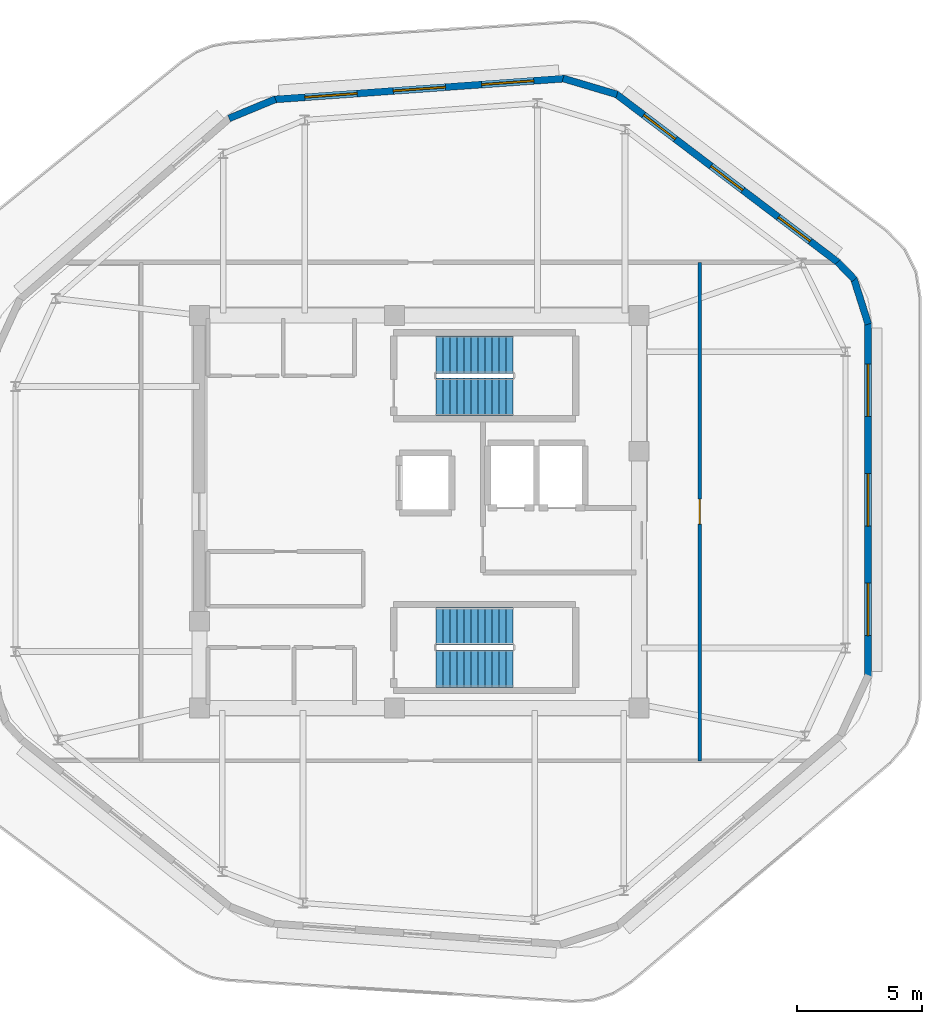
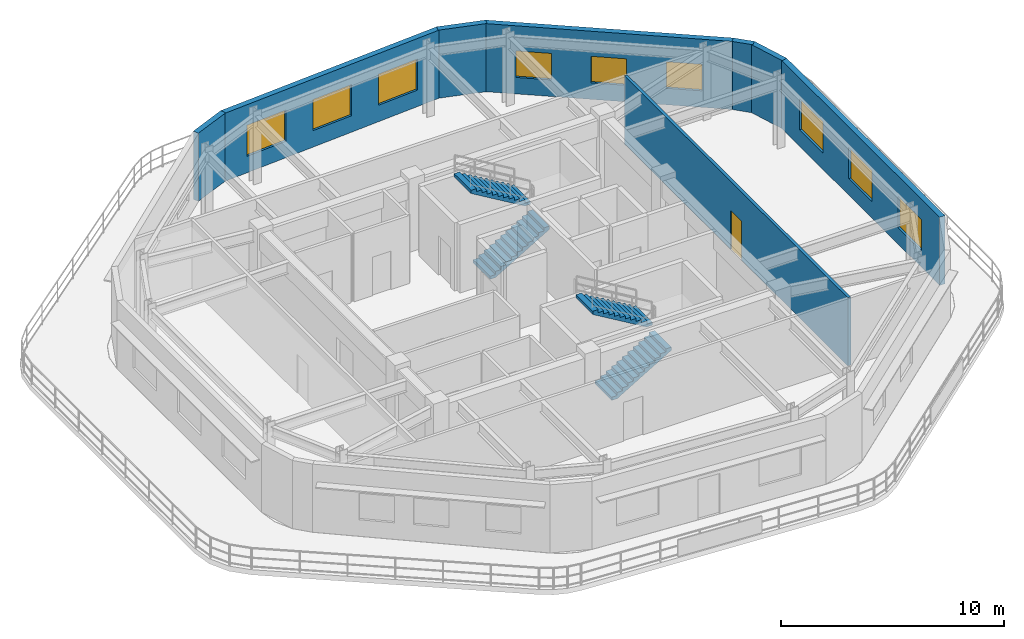
# One storey, part 4 of 7: 9 windows, 8 walls, 4 stair flights, 1 door, 10 openings, 2 elements without a shape of their own.
"""IFC4 building model written with IfcOpenShell, lengths in metres."""

from ifc_helpers import new_model, si_unit, direction, frame, frame_2d, origin, place, context, subcontext, project, spatial, polyline, rectangle, outline, extrude, material, layer, layer_set, type_object, element, fill, aggregate, save


model = new_model("IFC4")

# Units and contexts
model_context = context("Model", 3, precision=1e-05, world=origin(), true_north=direction((0.0, 1.0)))
body_context = subcontext(model_context, "Body", "Model", "MODEL_VIEW")
ifc_project = project(units=[si_unit("LENGTHUNIT", "METRE"), si_unit("AREAUNIT", "SQUARE_METRE"), si_unit("VOLUMEUNIT", "CUBIC_METRE"), si_unit("PLANEANGLEUNIT", "RADIAN"), si_unit("MASSUNIT", "GRAM", prefix="KILO")], contexts=[model_context])

# Site, building, storey
site_placement = place(None, origin())
site = spatial("IfcSite", under=ifc_project, at=site_placement, CompositionType="ELEMENT")
building_placement = place(site_placement, origin())
building = spatial("IfcBuilding", under=site, at=building_placement, Name="Zulverin Broadcast Headquarters", CompositionType="ELEMENT")
storey_placement = place(building_placement, frame((0.0, 0.0, 321.39990234375)))
storey = spatial("IfcBuildingStorey", under=building, at=storey_placement, Name="C3", CompositionType="ELEMENT", Elevation=321.39990234375)

# Wall, openings, windows
ifc_material_1 = material(Name="Insulated pale-metal clad concrete spandrel C40/50", Category="concrete")
ifc_layer_1 = layer(ifc_material_1, 0.280029296875, Name="Insulated pale-metal clad concrete spandrel C40/50", Category="concrete")
ifc_layer_set_1 = layer_set([ifc_layer_1], Name="Insulated pale-metal clad concrete spandrel C40/50")
wall_type_1 = type_object("IfcWallType", Name="WL-EXT-280", PredefinedType="STANDARD", material=ifc_layer_set_1)
wall_1_placement = place(storey_placement, frame((57.4599609375, 18.579833984375, 0.0), z_axis=(0.0, 0.0, 1.0), x_axis=(0.0, 1.0, 0.0)))
wall_1 = element("IfcWall", 1, at=wall_1_placement, inside=storey, type_object=wall_type_1, Name="C3 Pale-Metal Clad Spandrel Wall 3", PredefinedType="STANDARD", context=body_context, shape_type="SweptSolid", body=[
    extrude(rectangle(XDim=14.18310546875, YDim=0.280029296875, at=frame_2d((7.091552734375, 0.0))), origin(), (0.0, 0.0, 1.0), 3.72021484375),
])
opening_1_placement = place(wall_1_placement, frame((1.647216796875, 0.0, 0.89990234375)))
opening_1 = element("IfcOpeningElement", 2, at=opening_1_placement, cuts=wall_1, Name="Opening W-C3-E31", PredefinedType="OPENING", context=body_context, shape_type="SweptSolid", body=[
    extrude(rectangle(XDim=2.10009765625, YDim=1.699951171875, at=frame_2d((1.050048828125, 0.85009765625))), frame((0.0, 0.14990234375, 0.0), z_axis=(0.0, -1.0, 0.0), x_axis=(1.0, 0.0, 0.0)), (0.0, 0.0, 1.0), 0.300048828125),
])
opening_2_placement = place(wall_1_placement, frame((6.04150390625, 0.0, 0.89990234375)))
opening_2 = element("IfcOpeningElement", 3, at=opening_2_placement, cuts=wall_1, Name="Opening W-C3-E32", PredefinedType="OPENING", context=body_context, shape_type="SweptSolid", body=[
    extrude(rectangle(XDim=2.10009765625, YDim=1.699951171875, at=frame_2d((1.050048828125, 0.85009765625))), frame((0.0, 0.14990234375, 0.0), z_axis=(0.0, -1.0, 0.0), x_axis=(1.0, 0.0, 0.0)), (0.0, 0.0, 1.0), 0.300048828125),
])
opening_3_placement = place(wall_1_placement, frame((10.435791015625, 0.0, 0.89990234375)))
opening_3 = element("IfcOpeningElement", 4, at=opening_3_placement, cuts=wall_1, Name="Opening W-C3-E33", PredefinedType="OPENING", context=body_context, shape_type="SweptSolid", body=[
    extrude(rectangle(XDim=2.10009765625, YDim=1.699951171875, at=frame_2d((1.050048828125, 0.85009765625))), frame((0.0, 0.14990234375, 0.0), z_axis=(0.0, -1.0, 0.0), x_axis=(1.0, 0.0, 0.0)), (0.0, 0.0, 1.0), 0.300048828125),
])
ifc_material_2 = material(Name="Pale anodized aluminium frame with solar-control low-E double glazing", Category="aluminium")
window_type_1 = type_object("IfcWindowType", Name="WIN-CRN-2100", PartitioningType="SINGLE_PANEL", PredefinedType="WINDOW", material=ifc_material_2)
window_1_placement = place(opening_1_placement, origin())
window_1 = element("IfcWindow", 5, at=window_1_placement, inside=storey, type_object=window_type_1, Name="C3 Ribbon Glazing Window 3 1", OverallHeight=1.699951171875, OverallWidth=2.10009765625, PartitioningType="SINGLE_PANEL", PredefinedType="WINDOW", context=body_context, shape_type="SweptSolid", body=[
    extrude(rectangle(XDim=2.10009765625, YDim=1.699951171875, at=frame_2d((1.050048828125, 0.85009765625))), frame((0.0, 0.030029296875, 0.0), z_axis=(0.0, -1.0, 0.0), x_axis=(1.0, 0.0, 0.0)), (0.0, 0.0, 1.0), 0.06005859375),
])
fill(opening_1, window_1)
window_2_placement = place(opening_2_placement, origin())
window_2 = element("IfcWindow", 6, at=window_2_placement, inside=storey, type_object=window_type_1, Name="C3 Ribbon Glazing Window 3 2", OverallHeight=1.699951171875, OverallWidth=2.10009765625, PartitioningType="SINGLE_PANEL", PredefinedType="WINDOW", context=body_context, shape_type="SweptSolid", body=[
    extrude(rectangle(XDim=2.10009765625, YDim=1.699951171875, at=frame_2d((1.050048828125, 0.85009765625))), frame((0.0, 0.030029296875, 0.0), z_axis=(0.0, -1.0, 0.0), x_axis=(1.0, 0.0, 0.0)), (0.0, 0.0, 1.0), 0.06005859375),
])
fill(opening_2, window_2)
window_3_placement = place(opening_3_placement, origin())
window_3 = element("IfcWindow", 7, at=window_3_placement, inside=storey, type_object=window_type_1, Name="C3 Ribbon Glazing Window 3 3", OverallHeight=1.699951171875, OverallWidth=2.10009765625, PartitioningType="SINGLE_PANEL", PredefinedType="WINDOW", context=body_context, shape_type="SweptSolid", body=[
    extrude(rectangle(XDim=2.10009765625, YDim=1.699951171875, at=frame_2d((1.050048828125, 0.85009765625))), frame((0.0, 0.030029296875, 0.0), z_axis=(0.0, -1.0, 0.0), x_axis=(1.0, 0.0, 0.0)), (0.0, 0.0, 1.0), 0.06005859375),
])
fill(opening_3, window_3)

wall_2_placement = place(storey_placement, frame((56.24951171875, 35.200927734375, 0.0), z_axis=(0.0, 0.0, 1.0), x_axis=(-0.796694895732, 0.60438170316, 0.0)))
wall_2 = element("IfcWall", 8, at=wall_2_placement, inside=storey, type_object=wall_type_1, Name="C3 Pale-Metal Clad Spandrel Wall 4", PredefinedType="STANDARD", context=body_context, shape_type="SweptSolid", body=[
    extrude(rectangle(XDim=11.182861328125, YDim=0.280029296875, at=frame_2d((5.59130859375, 0.0))), origin(), (0.0, 0.0, 1.0), 3.72021484375),
])
opening_4_placement = place(wall_2_placement, frame((1.397216796875, 0.0, 0.89990234375)))
opening_4 = element("IfcOpeningElement", 9, at=opening_4_placement, cuts=wall_2, Name="Opening W-C3-E41", PredefinedType="OPENING", context=body_context, shape_type="SweptSolid", body=[
    extrude(rectangle(XDim=1.60009765625, YDim=1.449951171875, at=frame_2d((0.800048828125, 0.72509765625))), frame((0.0, 0.14990234375, 0.0), z_axis=(0.0, -1.0, 0.0), x_axis=(1.0, 0.0, 0.0)), (0.0, 0.0, 1.0), 0.300048828125),
])
opening_5_placement = place(wall_2_placement, frame((4.79150390625, 0.0, 0.89990234375)))
opening_5 = element("IfcOpeningElement", 10, at=opening_5_placement, cuts=wall_2, Name="Opening W-C3-E42", PredefinedType="OPENING", context=body_context, shape_type="SweptSolid", body=[
    extrude(rectangle(XDim=1.60009765625, YDim=1.449951171875, at=frame_2d((0.800048828125, 0.72509765625))), frame((0.0, 0.14990234375, 0.0), z_axis=(0.0, -1.0, 0.0), x_axis=(1.0, 0.0, 0.0)), (0.0, 0.0, 1.0), 0.300048828125),
])
opening_6_placement = place(wall_2_placement, frame((8.185546875, 0.0, 0.89990234375)))
opening_6 = element("IfcOpeningElement", 11, at=opening_6_placement, cuts=wall_2, Name="Opening W-C3-E43", PredefinedType="OPENING", context=body_context, shape_type="SweptSolid", body=[
    extrude(rectangle(XDim=1.60009765625, YDim=1.449951171875, at=frame_2d((0.800048828125, 0.72509765625))), frame((0.0, 0.14990234375, 0.0), z_axis=(0.0, -1.0, 0.0), x_axis=(1.0, 0.0, 0.0)), (0.0, 0.0, 1.0), 0.300048828125),
])
window_type_2 = type_object("IfcWindowType", Name="WIN-CRN-1600", PartitioningType="SINGLE_PANEL", PredefinedType="WINDOW", material=ifc_material_2)
window_4_placement = place(opening_4_placement, origin())
window_4 = element("IfcWindow", 12, at=window_4_placement, inside=storey, type_object=window_type_2, Name="C3 Ribbon Glazing Window 4 1", OverallHeight=1.449951171875, OverallWidth=1.60009765625, PartitioningType="SINGLE_PANEL", PredefinedType="WINDOW", context=body_context, shape_type="SweptSolid", body=[
    extrude(rectangle(XDim=1.60009765625, YDim=1.449951171875, at=frame_2d((0.800048828125, 0.72509765625))), frame((0.0, 0.030029296875, 0.0), z_axis=(0.0, -1.0, 0.0), x_axis=(1.0, 0.0, 0.0)), (0.0, 0.0, 1.0), 0.06005859375),
])
fill(opening_4, window_4)
window_5_placement = place(opening_5_placement, origin())
window_5 = element("IfcWindow", 13, at=window_5_placement, inside=storey, type_object=window_type_2, Name="C3 Ribbon Glazing Window 4 2", OverallHeight=1.449951171875, OverallWidth=1.60009765625, PartitioningType="SINGLE_PANEL", PredefinedType="WINDOW", context=body_context, shape_type="SweptSolid", body=[
    extrude(rectangle(XDim=1.60009765625, YDim=1.449951171875, at=frame_2d((0.800048828125, 0.72509765625))), frame((0.0, 0.030029296875, 0.0), z_axis=(0.0, -1.0, 0.0), x_axis=(1.0, 0.0, 0.0)), (0.0, 0.0, 1.0), 0.06005859375),
])
fill(opening_5, window_5)
window_6_placement = place(opening_6_placement, origin())
window_6 = element("IfcWindow", 14, at=window_6_placement, inside=storey, type_object=window_type_2, Name="C3 Ribbon Glazing Window 4 3", OverallHeight=1.449951171875, OverallWidth=1.60009765625, PartitioningType="SINGLE_PANEL", PredefinedType="WINDOW", context=body_context, shape_type="SweptSolid", body=[
    extrude(rectangle(XDim=1.60009765625, YDim=1.449951171875, at=frame_2d((0.800048828125, 0.72509765625))), frame((0.0, 0.030029296875, 0.0), z_axis=(0.0, -1.0, 0.0), x_axis=(1.0, 0.0, 0.0)), (0.0, 0.0, 1.0), 0.06005859375),
])
fill(opening_6, window_6)

wall_3_placement = place(storey_placement, frame((45.27099609375, 42.57373046875, 0.0), z_axis=(0.0, 0.0, 1.0), x_axis=(-0.997422230833, -0.07175579029, 0.0)))
wall_3 = element("IfcWall", 15, at=wall_3_placement, inside=storey, type_object=wall_type_1, Name="C3 Pale-Metal Clad Spandrel Wall 5", PredefinedType="STANDARD", context=body_context, shape_type="SweptSolid", body=[
    extrude(rectangle(XDim=11.663330078125, YDim=0.280029296875, at=frame_2d((5.83154296875, 0.0))), origin(), (0.0, 0.0, 1.0), 3.72021484375),
])
opening_7_placement = place(wall_3_placement, frame((1.227294921875, 0.0, 0.89990234375)))
opening_7 = element("IfcOpeningElement", 16, at=opening_7_placement, cuts=wall_3, Name="Opening W-C3-E51", PredefinedType="OPENING", context=body_context, shape_type="SweptSolid", body=[
    extrude(rectangle(XDim=2.10009765625, YDim=1.699951171875, at=frame_2d((1.050048828125, 0.85009765625))), frame((0.0, 0.14990234375, 0.0), z_axis=(0.0, -1.0, 0.0), x_axis=(1.0, 0.0, 0.0)), (0.0, 0.0, 1.0), 0.300048828125),
])
opening_8_placement = place(wall_3_placement, frame((4.78173828125, 0.0, 0.89990234375)))
opening_8 = element("IfcOpeningElement", 17, at=opening_8_placement, cuts=wall_3, Name="Opening W-C3-E52", PredefinedType="OPENING", context=body_context, shape_type="SweptSolid", body=[
    extrude(rectangle(XDim=2.10009765625, YDim=1.699951171875, at=frame_2d((1.050048828125, 0.85009765625))), frame((0.0, 0.14990234375, 0.0), z_axis=(0.0, -1.0, 0.0), x_axis=(1.0, 0.0, 0.0)), (0.0, 0.0, 1.0), 0.300048828125),
])
opening_9_placement = place(wall_3_placement, frame((8.336181640625, 0.0, 0.89990234375)))
opening_9 = element("IfcOpeningElement", 18, at=opening_9_placement, cuts=wall_3, Name="Opening W-C3-E53", PredefinedType="OPENING", context=body_context, shape_type="SweptSolid", body=[
    extrude(rectangle(XDim=2.10009765625, YDim=1.699951171875, at=frame_2d((1.050048828125, 0.85009765625))), frame((0.0, 0.14990234375, 0.0), z_axis=(0.0, -1.0, 0.0), x_axis=(1.0, 0.0, 0.0)), (0.0, 0.0, 1.0), 0.300048828125),
])
window_7_placement = place(opening_7_placement, origin())
window_7 = element("IfcWindow", 19, at=window_7_placement, inside=storey, type_object=window_type_1, Name="C3 Ribbon Glazing Window 5 1", OverallHeight=1.699951171875, OverallWidth=2.10009765625, PartitioningType="SINGLE_PANEL", PredefinedType="WINDOW", context=body_context, shape_type="SweptSolid", body=[
    extrude(rectangle(XDim=2.10009765625, YDim=1.699951171875, at=frame_2d((1.050048828125, 0.85009765625))), frame((0.0, 0.030029296875, 0.0), z_axis=(0.0, -1.0, 0.0), x_axis=(1.0, 0.0, 0.0)), (0.0, 0.0, 1.0), 0.06005859375),
])
fill(opening_7, window_7)
window_8_placement = place(opening_8_placement, origin())
window_8 = element("IfcWindow", 20, at=window_8_placement, inside=storey, type_object=window_type_1, Name="C3 Ribbon Glazing Window 5 2", OverallHeight=1.699951171875, OverallWidth=2.10009765625, PartitioningType="SINGLE_PANEL", PredefinedType="WINDOW", context=body_context, shape_type="SweptSolid", body=[
    extrude(rectangle(XDim=2.10009765625, YDim=1.699951171875, at=frame_2d((1.050048828125, 0.85009765625))), frame((0.0, 0.030029296875, 0.0), z_axis=(0.0, -1.0, 0.0), x_axis=(1.0, 0.0, 0.0)), (0.0, 0.0, 1.0), 0.06005859375),
])
fill(opening_8, window_8)
window_9_placement = place(opening_9_placement, origin())
window_9 = element("IfcWindow", 21, at=window_9_placement, inside=storey, type_object=window_type_1, Name="C3 Ribbon Glazing Window 5 3", OverallHeight=1.699951171875, OverallWidth=2.10009765625, PartitioningType="SINGLE_PANEL", PredefinedType="WINDOW", context=body_context, shape_type="SweptSolid", body=[
    extrude(rectangle(XDim=2.10009765625, YDim=1.699951171875, at=frame_2d((1.050048828125, 0.85009765625))), frame((0.0, 0.030029296875, 0.0), z_axis=(0.0, -1.0, 0.0), x_axis=(1.0, 0.0, 0.0)), (0.0, 0.0, 1.0), 0.06005859375),
])
fill(opening_9, window_9)

# Walls
wall_4_placement = place(storey_placement, frame((57.466552734375, 32.720703125, 0.0), z_axis=(0.0, 0.0, 1.0), x_axis=(-0.302459091708, 0.953162366988, 0.0)))
element("IfcWall", 22, at=wall_4_placement, inside=storey, type_object=wall_type_1, Name="C3 Wind-Shaped Corner Spandrel Wall 3-1", PredefinedType="STANDARD", context=body_context, shape_type="SweptSolid", body=[
    extrude(rectangle(XDim=1.935546875, YDim=0.280029296875, at=frame_2d((0.9677734375, 0.0))), origin(), (0.0, 0.0, 1.0), 3.72021484375),
])
wall_5_placement = place(storey_placement, frame((56.913818359375, 34.5107421875, 0.0), z_axis=(0.0, 0.0, 1.0), x_axis=(-0.694785794461, 0.719216726595, 0.0)))
element("IfcWall", 23, at=wall_5_placement, inside=storey, type_object=wall_type_1, Name="C3 Wind-Shaped Corner Spandrel Wall 3-2", PredefinedType="STANDARD", context=body_context, shape_type="SweptSolid", body=[
    extrude(rectangle(XDim=0.979248046875, YDim=0.280029296875, at=frame_2d((0.48974609375, 0.0))), origin(), (0.0, 0.0, 1.0), 3.72021484375),
])
wall_6_placement = place(storey_placement, frame((47.385009765625, 41.93701171875, 0.0), z_axis=(0.0, 0.0, 1.0), x_axis=(-0.958682364322, 0.284478688725, 0.0)))
element("IfcWall", 24, at=wall_6_placement, inside=storey, type_object=wall_type_1, Name="C3 Wind-Shaped Corner Spandrel Wall 4-1", PredefinedType="STANDARD", context=body_context, shape_type="SweptSolid", body=[
    extrude(rectangle(XDim=2.257080078125, YDim=0.280029296875, at=frame_2d((1.12841796875, 0.0))), origin(), (0.0, 0.0, 1.0), 3.72021484375),
])
wall_7_placement = place(storey_placement, frame((33.68115234375, 41.746826171875, 0.0), z_axis=(0.0, 0.0, 1.0), x_axis=(-0.924019782367, -0.382344663616, 0.0)))
element("IfcWall", 25, at=wall_7_placement, inside=storey, type_object=wall_type_1, Name="C3 Wind-Shaped Corner Spandrel Wall 5-1", PredefinedType="STANDARD", context=body_context, shape_type="SweptSolid", body=[
    extrude(rectangle(XDim=2.0166015625, YDim=0.280029296875, at=frame_2d((1.00830078125, 0.0))), origin(), (0.0, 0.0, 1.0), 3.72021484375),
])

# Wall, opening, door
ifc_material_3 = material(Name="Fire-rated gypsum stud partition", Category="gypsum")
ifc_layer_2 = layer(ifc_material_3, 0.14990234375, Name="Fire-rated gypsum stud partition", Category="gypsum")
ifc_layer_set_2 = layer_set([ifc_layer_2], Name="Fire-rated gypsum stud partition")
wall_type_2 = type_object("IfcWallType", Name="WL-PART-150", PredefinedType="PARTITIONING", material=ifc_layer_set_2)
wall_8_placement = place(storey_placement, frame((50.699951171875, 15.199951171875, 0.0), z_axis=(0.0, 0.0, 1.0), x_axis=(0.0, 1.0, 0.0)))
wall_8 = element("IfcWall", 26, at=wall_8_placement, inside=storey, type_object=wall_type_2, Name="C3 Gallery Partition Wall CG-01", PredefinedType="PARTITIONING", context=body_context, shape_type="SweptSolid", body=[
    extrude(rectangle(XDim=20.0, YDim=0.14990234375, at=frame_2d((10.0, 0.0))), origin(), (0.0, 0.0, 1.0), 3.72021484375),
])
opening_10_placement = place(wall_8_placement, frame((9.5, 0.0, 0.0)))
opening_10 = element("IfcOpeningElement", 27, at=opening_10_placement, cuts=wall_8, Name="Opening D-C3-CR2", PredefinedType="OPENING", context=body_context, shape_type="SweptSolid", body=[
    extrude(rectangle(XDim=1.0, YDim=2.1201171875, at=frame_2d((0.5, 1.06005859375))), frame((0.0, 0.0849609375, 0.0), z_axis=(0.0, -1.0, 0.0), x_axis=(1.0, 0.0, 0.0)), (0.0, 0.0, 1.0), 0.169921875),
])
ifc_material_4 = material(Name="Hardwood veneer acoustic leaf", Category="wood")
door_type = type_object("IfcDoorType", Name="DR-OFF-1000", OperationType="SINGLE_SWING_LEFT", PredefinedType="DOOR", material=ifc_material_4)
door_placement = place(opening_10_placement, origin())
door = element("IfcDoor", 28, at=door_placement, inside=storey, type_object=door_type, Name="C3 Broadcast Transmitter Plant Room Door", OperationType="SINGLE_SWING_LEFT", OverallHeight=2.1201171875, OverallWidth=1.0, PredefinedType="DOOR", context=body_context, shape_type="SweptSolid", body=[
    extrude(rectangle(XDim=1.0, YDim=2.1201171875, at=frame_2d((0.5, 1.06005859375))), frame((0.0, 0.02490234375, 0.0), z_axis=(0.0, -1.0, 0.0), x_axis=(1.0, 0.0, 0.0)), (0.0, 0.0, 1.0), 0.050048828125),
])
fill(opening_10, door)

# Stair, stair flights
ifc_material_5 = material(Name="Concrete C40/50", Category="concrete")
stair_type = type_object("IfcStairType", Name="ST-CORE-1500", PredefinedType="HALF_TURN_STAIR", material=ifc_material_5)
stair_1_placement = place(storey_placement, origin())
stair_1 = element("IfcStair", 29, at=stair_1_placement, inside=storey, type_object=stair_type, Name="C3 Core Exit Stair ST-1", PredefinedType="HALF_TURN_STAIR")
stair_flight_type = type_object("IfcStairFlightType", Name="SF-CORE-1500", PredefinedType="STRAIGHT", material=ifc_material_5)
stair_flight_1_placement = place(storey_placement, frame((40.1298828125, 29.800048828125, 0.0), z_axis=(0.0, 0.0, 1.0), x_axis=(1.0, 0.0, 0.0)))
stair_flight_1 = element("IfcStairFlight", 30, at=stair_flight_1_placement, type_object=stair_flight_type, Name="ST-1 flight 1", NumberOfRisers=12, NumberOfTreads=11, PredefinedType="STRAIGHT", RiserHeight=0.166666667, TreadLength=0.28, context=body_context, shape_type="SweptSolid", body=[
    extrude(outline(polyline([(0.0, 0.0), (0.0, 0.166748046875), (0.280029296875, 0.166748046875), (0.280029296875, 0.333251953125), (0.56005859375, 0.333251953125), (0.56005859375, 0.5), (0.840087890625, 0.5), (0.840087890625, 0.666748046875), (1.1201171875, 0.666748046875), (1.1201171875, 0.833251953125), (1.39990234375, 0.833251953125), (1.39990234375, 1.0), (1.679931640625, 1.0), (1.679931640625, 1.166748046875), (1.9599609375, 1.166748046875), (1.9599609375, 1.333251953125), (2.239990234375, 1.333251953125), (2.239990234375, 1.5), (2.52001953125, 1.5), (2.52001953125, 1.666748046875), (2.800048828125, 1.666748046875), (2.800048828125, 1.833251953125), (3.080078125, 1.833251953125), (3.080078125, 2.0), (3.080078125, 1.658935546875), (0.29296875, 0.0), (0.0, 0.0)])), frame((0.0, 0.75, 0.0), z_axis=(0.0, -1.0, 0.0), x_axis=(1.0, 0.0, 0.0)), (0.0, 0.0, 1.0), 1.5),
])
stair_flight_2_placement = place(storey_placement, frame((43.2099609375, 31.5, 2.0), z_axis=(0.0, 0.0, 1.0), x_axis=(-1.0, 0.0, 0.0)))
stair_flight_2 = element("IfcStairFlight", 31, at=stair_flight_2_placement, type_object=stair_flight_type, Name="ST-1 flight 2", NumberOfRisers=12, NumberOfTreads=11, PredefinedType="STRAIGHT", RiserHeight=0.166666667, TreadLength=0.28, context=body_context, shape_type="SweptSolid", body=[
    extrude(outline(polyline([(0.0, 0.0), (0.0, 0.166748046875), (0.280029296875, 0.166748046875), (0.280029296875, 0.333251953125), (0.56005859375, 0.333251953125), (0.56005859375, 0.5), (0.840087890625, 0.5), (0.840087890625, 0.666748046875), (1.1201171875, 0.666748046875), (1.1201171875, 0.833251953125), (1.39990234375, 0.833251953125), (1.39990234375, 1.0), (1.679931640625, 1.0), (1.679931640625, 1.166748046875), (1.9599609375, 1.166748046875), (1.9599609375, 1.333251953125), (2.239990234375, 1.333251953125), (2.239990234375, 1.5), (2.52001953125, 1.5), (2.52001953125, 1.666748046875), (2.800048828125, 1.666748046875), (2.800048828125, 1.833251953125), (3.080078125, 1.833251953125), (3.080078125, 2.0), (3.080078125, 1.658935546875), (0.29296875, 0.0), (0.0, 0.0)])), frame((0.0, 0.75, 0.0), z_axis=(0.0, -1.0, 0.0), x_axis=(1.0, 0.0, 0.0)), (0.0, 0.0, 1.0), 1.5),
])
aggregate(stair_1, [stair_flight_1, stair_flight_2])

stair_2_placement = place(storey_placement, origin())
stair_2 = element("IfcStair", 32, at=stair_2_placement, inside=storey, type_object=stair_type, Name="C3 Core Exit Stair ST-2", PredefinedType="HALF_TURN_STAIR")
stair_flight_3_placement = place(storey_placement, frame((40.1298828125, 18.89990234375, 0.0), z_axis=(0.0, 0.0, 1.0), x_axis=(1.0, 0.0, 0.0)))
stair_flight_3 = element("IfcStairFlight", 33, at=stair_flight_3_placement, type_object=stair_flight_type, Name="ST-2 flight 1", NumberOfRisers=12, NumberOfTreads=11, PredefinedType="STRAIGHT", RiserHeight=0.166666667, TreadLength=0.28, context=body_context, shape_type="SweptSolid", body=[
    extrude(outline(polyline([(0.0, 0.0), (0.0, 0.166748046875), (0.280029296875, 0.166748046875), (0.280029296875, 0.333251953125), (0.56005859375, 0.333251953125), (0.56005859375, 0.5), (0.840087890625, 0.5), (0.840087890625, 0.666748046875), (1.1201171875, 0.666748046875), (1.1201171875, 0.833251953125), (1.39990234375, 0.833251953125), (1.39990234375, 1.0), (1.679931640625, 1.0), (1.679931640625, 1.166748046875), (1.9599609375, 1.166748046875), (1.9599609375, 1.333251953125), (2.239990234375, 1.333251953125), (2.239990234375, 1.5), (2.52001953125, 1.5), (2.52001953125, 1.666748046875), (2.800048828125, 1.666748046875), (2.800048828125, 1.833251953125), (3.080078125, 1.833251953125), (3.080078125, 2.0), (3.080078125, 1.658935546875), (0.29296875, 0.0), (0.0, 0.0)])), frame((0.0, 0.75, 0.0), z_axis=(0.0, -1.0, 0.0), x_axis=(1.0, 0.0, 0.0)), (0.0, 0.0, 1.0), 1.5),
])
stair_flight_4_placement = place(storey_placement, frame((43.2099609375, 20.60009765625, 2.0), z_axis=(0.0, 0.0, 1.0), x_axis=(-1.0, 0.0, 0.0)))
stair_flight_4 = element("IfcStairFlight", 34, at=stair_flight_4_placement, type_object=stair_flight_type, Name="ST-2 flight 2", NumberOfRisers=12, NumberOfTreads=11, PredefinedType="STRAIGHT", RiserHeight=0.166666667, TreadLength=0.28, context=body_context, shape_type="SweptSolid", body=[
    extrude(outline(polyline([(0.0, 0.0), (0.0, 0.166748046875), (0.280029296875, 0.166748046875), (0.280029296875, 0.333251953125), (0.56005859375, 0.333251953125), (0.56005859375, 0.5), (0.840087890625, 0.5), (0.840087890625, 0.666748046875), (1.1201171875, 0.666748046875), (1.1201171875, 0.833251953125), (1.39990234375, 0.833251953125), (1.39990234375, 1.0), (1.679931640625, 1.0), (1.679931640625, 1.166748046875), (1.9599609375, 1.166748046875), (1.9599609375, 1.333251953125), (2.239990234375, 1.333251953125), (2.239990234375, 1.5), (2.52001953125, 1.5), (2.52001953125, 1.666748046875), (2.800048828125, 1.666748046875), (2.800048828125, 1.833251953125), (3.080078125, 1.833251953125), (3.080078125, 2.0), (3.080078125, 1.658935546875), (0.29296875, 0.0), (0.0, 0.0)])), frame((0.0, 0.75, 0.0), z_axis=(0.0, -1.0, 0.0), x_axis=(1.0, 0.0, 0.0)), (0.0, 0.0, 1.0), 1.5),
])
aggregate(stair_2, [stair_flight_3, stair_flight_4])

save(model, "model.ifc")
